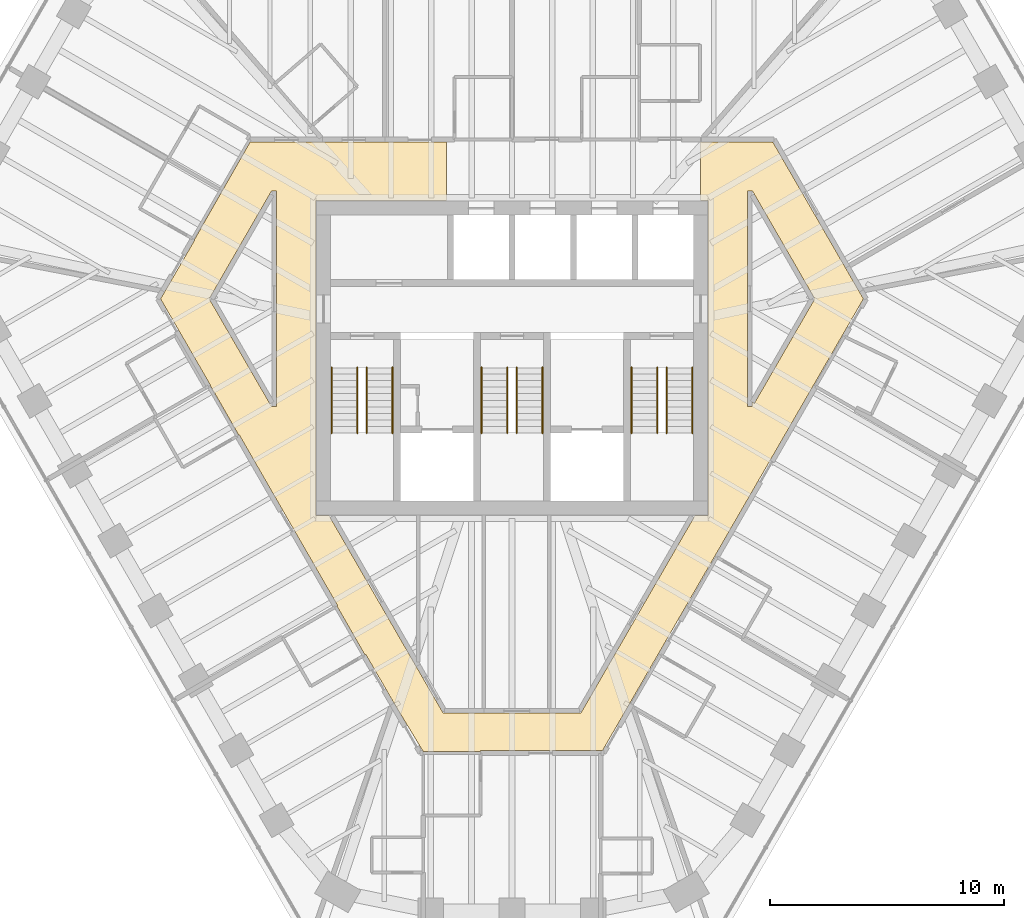
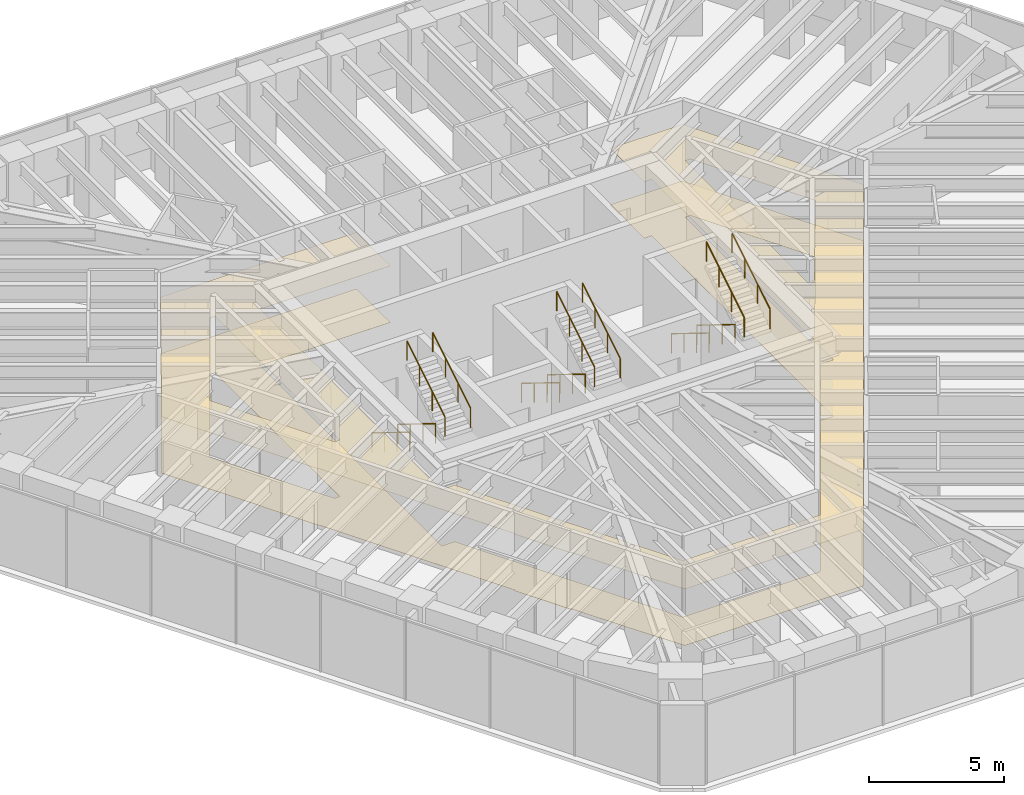
# One storey, part 14 of 14: 12 railings, 2 coverings.
"""IFC4 building model written with IfcOpenShell, lengths in metres."""

from ifc_helpers import new_model, si_unit, direction, frame, origin, origin_2d, place, context, subcontext, project, spatial, polyline, circle, outline, extrude, material, layer, layer_set, type_object, element, save


model = new_model("IFC4")

# Units and contexts
model_context = context("Model", 3, precision=1e-05, world=origin(), true_north=direction((0.0, 1.0)))
body_context = subcontext(model_context, "Body", "Model", "MODEL_VIEW")
ifc_project = project(units=[si_unit("LENGTHUNIT", "METRE"), si_unit("AREAUNIT", "SQUARE_METRE"), si_unit("VOLUMEUNIT", "CUBIC_METRE"), si_unit("PLANEANGLEUNIT", "RADIAN"), si_unit("MASSUNIT", "GRAM", prefix="KILO")], contexts=[model_context])

# Site, building, storey
site_placement = place(None, origin())
site = spatial("IfcSite", under=ifc_project, at=site_placement, CompositionType="ELEMENT")
building_placement = place(site_placement, origin())
building = spatial("IfcBuilding", under=site, at=building_placement, Name="Sandreach Pilgrim Tower", CompositionType="ELEMENT")
storey_placement = place(building_placement, frame((0.0, 0.0, 291.199951171875)))
storey = spatial("IfcBuildingStorey", under=building, at=storey_placement, Name="L73", CompositionType="ELEMENT", Elevation=291.199951171875)

# Coverings
ifc_material_1 = material(Name="Nylon carpet tile on the slab", Category="textile")
ifc_layer_1 = layer(ifc_material_1, 0.008056640625)
ifc_layer_set_1 = layer_set([ifc_layer_1], Name="Carpet tile")
covering_type_1 = type_object("IfcCoveringType", Name="Carpet tile", PredefinedType="FLOORING", material=ifc_layer_set_1)
covering_1_placement = place(storey_placement, origin())
element("IfcCovering", 1, at=covering_1_placement, inside=storey, type_object=covering_type_1, Name="Floor finish 73C Corridor 73", PredefinedType="FLOORING", context=body_context, shape_type="SweptSolid", body=[
    extrude(outline(polyline([(-15.004150390625, 2.529541015625), (-13.54345703125, 5.0498046875), (-13.559814453125, 5.059326171875), (-11.178466796875, 9.22998046875), (-2.800048828125, 9.22998046875), (-2.800048828125, 6.719970703125), (-8.3701171875, 6.719970703125), (-8.3701171875, -6.719970703125), (-7.812744140625, -6.719970703125), (-2.937744140625, -15.159912109375), (2.937744140625, -15.159912109375), (7.812744140625, -6.719970703125), (8.3701171875, -6.719970703125), (8.3701171875, 6.719970703125), (8.050048828125, 6.719970703125), (8.050048828125, 9.22998046875), (11.13232421875, 9.22998046875), (15.004150390625, 2.529541015625), (3.8623046875, -16.760009765625), (-1.340087890625, -16.760009765625), (-1.340087890625, -16.787109375), (-3.7900390625, -16.800048828125), (-3.7900390625, -16.760009765625), (-3.814208984375, -16.760009765625), (-5.036376953125, -14.731201171875), (-6.24365234375, -12.649658203125), (-6.278076171875, -12.669921875), (-7.4736328125, -10.58740234375), (-7.443359375, -10.570068359375), (-11.643310546875, -3.280029296875), (-11.66259765625, -3.291015625), (-12.8828125, -1.16552734375), (-12.87353515625, -1.159912109375), (-15.004150390625, 2.529541015625)]), holes=[polyline([(10.25, -2.070068359375), (10.25, -1.873779296875), (10.3466796875, -1.9296875), (12.925537109375, 2.530029296875), (10.265380859375, 7.139892578125), (10.050048828125, 7.139892578125), (10.050048828125, -2.070068359375), (10.25, -2.070068359375)]), polyline([(-12.925537109375, 2.530029296875), (-10.265625, -2.070068359375), (-10.050048828125, -2.070068359375), (-10.050048828125, 7.139892578125), (-10.265380859375, 7.139892578125), (-12.925537109375, 2.530029296875)])]), origin(), (0.0, 0.0, 1.0), 0.008056640625),
])
ifc_material_2 = material(Name="Gypsum board suspended ceiling on a steel grid", Category="steel")
ifc_layer_2 = layer(ifc_material_2, 0.012939453125)
ifc_layer_set_2 = layer_set([ifc_layer_2], Name="Gypsum board suspended ceiling")
covering_type_2 = type_object("IfcCoveringType", Name="Gypsum board suspended ceiling", PredefinedType="CEILING", material=ifc_layer_set_2)
covering_2_placement = place(storey_placement, frame((0.0, 0.0, 2.550048828125)))
element("IfcCovering", 2, at=covering_2_placement, inside=storey, type_object=covering_type_2, Name="Ceiling 73C Corridor 73", PredefinedType="CEILING", context=body_context, shape_type="SweptSolid", body=[
    extrude(outline(polyline([(-15.004150390625, 2.529541015625), (-13.54345703125, 5.0498046875), (-13.559814453125, 5.059326171875), (-11.178466796875, 9.22998046875), (-2.800048828125, 9.22998046875), (-2.800048828125, 6.719970703125), (-8.3701171875, 6.719970703125), (-8.3701171875, -6.719970703125), (-7.812744140625, -6.719970703125), (-2.937744140625, -15.159912109375), (2.937744140625, -15.159912109375), (7.812744140625, -6.719970703125), (8.3701171875, -6.719970703125), (8.3701171875, 6.719970703125), (8.050048828125, 6.719970703125), (8.050048828125, 9.22998046875), (11.13232421875, 9.22998046875), (15.004150390625, 2.529541015625), (3.8623046875, -16.760009765625), (-1.340087890625, -16.760009765625), (-1.340087890625, -16.787109375), (-3.7900390625, -16.800048828125), (-3.7900390625, -16.760009765625), (-3.814208984375, -16.760009765625), (-5.036376953125, -14.731201171875), (-6.24365234375, -12.649658203125), (-6.278076171875, -12.669921875), (-7.4736328125, -10.58740234375), (-7.443359375, -10.570068359375), (-11.643310546875, -3.280029296875), (-11.66259765625, -3.291015625), (-12.8828125, -1.16552734375), (-12.87353515625, -1.159912109375), (-15.004150390625, 2.529541015625)]), holes=[polyline([(10.25, -2.070068359375), (10.25, -1.873779296875), (10.3466796875, -1.9296875), (12.925537109375, 2.530029296875), (10.265380859375, 7.139892578125), (10.050048828125, 7.139892578125), (10.050048828125, -2.070068359375), (10.25, -2.070068359375)]), polyline([(-12.925537109375, 2.530029296875), (-10.265625, -2.070068359375), (-10.050048828125, -2.070068359375), (-10.050048828125, 7.139892578125), (-10.265380859375, 7.139892578125), (-12.925537109375, 2.530029296875)])]), origin(), (0.0, 0.0, 1.0), 0.012939453125),
])

# Railings
ifc_material_3 = material(Name="Stainless steel tube", Category="steel")
railing_type = type_object("IfcRailingType", Name="Stair handrail", PredefinedType="HANDRAIL", material=ifc_material_3)
for number, where, name in (
    (3, (-6.60009765625, -0.39990234375, 0.1728515625), "Handrail ST1 L73 flight 1"),
    (4, (-7.699951171875, -0.39990234375, 0.1728515625), "Handrail ST1 L73 flight 1"),
):
    element("IfcRailing", number, at=place(storey_placement, frame(where)), inside=storey, type_object=railing_type, Name=name, PredefinedType="HANDRAIL", context=body_context, shape_type="SweptSolid", body=[
        extrude(circle(Radius=0.02392578125, at=origin_2d()), frame((0.0, 0.0, 0.8759765625), z_axis=(0.0, -0.851089632645, 0.525020415988), x_axis=(1.0, 0.0, 0.0)), (0.0, 0.0, 1.0), 3.2900390625),
        extrude(circle(Radius=0.02099609375, at=origin_2d()), origin(), (0.0, 0.0, 1.0), 0.851806640625),
        extrude(circle(Radius=0.02099609375, at=origin_2d()), frame((0.0, -0.933349609375, 0.57568359375)), (0.0, 0.0, 1.0), 0.851806640625),
        extrude(circle(Radius=0.02099609375, at=origin_2d()), frame((0.0, -1.86669921875, 1.151611328125)), (0.0, 0.0, 1.0), 0.851806640625),
        extrude(circle(Radius=0.02099609375, at=origin_2d()), frame((0.0, -2.800048828125, 1.727294921875)), (0.0, 0.0, 1.0), 0.851806640625),
    ])
for number, where, name in (
    (5, (-6.199951171875, -3.199951171875, 2.07275390625), "Handrail ST1 L73 flight 2"),
    (6, (-5.10009765625, -3.199951171875, 2.07275390625), "Handrail ST1 L73 flight 2"),
):
    element("IfcRailing", number, at=place(storey_placement, frame(where)), inside=storey, type_object=railing_type, Name=name, PredefinedType="HANDRAIL", context=body_context, shape_type="SweptSolid", body=[
        extrude(circle(Radius=0.02392578125, at=origin_2d()), frame((0.0, 0.0, 0.8759765625), z_axis=(0.0, 0.851089632645, 0.525020415988), x_axis=(-1.0, 0.0, 0.0)), (0.0, 0.0, 1.0), 3.2900390625),
        extrude(circle(Radius=0.02099609375, at=origin_2d()), origin(), (0.0, 0.0, 1.0), 0.851806640625),
        extrude(circle(Radius=0.02099609375, at=origin_2d()), frame((0.0, 0.933349609375, 0.57568359375)), (0.0, 0.0, 1.0), 0.851806640625),
        extrude(circle(Radius=0.02099609375, at=origin_2d()), frame((0.0, 1.86669921875, 1.151611328125)), (0.0, 0.0, 1.0), 0.851806640625),
        extrude(circle(Radius=0.02099609375, at=origin_2d()), frame((0.0, 2.800048828125, 1.727294921875)), (0.0, 0.0, 1.0), 0.851806640625),
    ])
for number, where, name in (
    (7, (-0.199951171875, -0.39990234375, 0.1728515625), "Handrail ST3 L73 flight 1"),
    (8, (-1.300048828125, -0.39990234375, 0.1728515625), "Handrail ST3 L73 flight 1"),
):
    element("IfcRailing", number, at=place(storey_placement, frame(where)), inside=storey, type_object=railing_type, Name=name, PredefinedType="HANDRAIL", context=body_context, shape_type="SweptSolid", body=[
        extrude(circle(Radius=0.02392578125, at=origin_2d()), frame((0.0, 0.0, 0.8759765625), z_axis=(0.0, -0.851089632645, 0.525020415988), x_axis=(1.0, 0.0, 0.0)), (0.0, 0.0, 1.0), 3.2900390625),
        extrude(circle(Radius=0.02099609375, at=origin_2d()), origin(), (0.0, 0.0, 1.0), 0.851806640625),
        extrude(circle(Radius=0.02099609375, at=origin_2d()), frame((0.0, -0.933349609375, 0.57568359375)), (0.0, 0.0, 1.0), 0.851806640625),
        extrude(circle(Radius=0.02099609375, at=origin_2d()), frame((0.0, -1.86669921875, 1.151611328125)), (0.0, 0.0, 1.0), 0.851806640625),
        extrude(circle(Radius=0.02099609375, at=origin_2d()), frame((0.0, -2.800048828125, 1.727294921875)), (0.0, 0.0, 1.0), 0.851806640625),
    ])
for number, where, name in (
    (9, (0.199951171875, -3.199951171875, 2.07275390625), "Handrail ST3 L73 flight 2"),
    (10, (1.300048828125, -3.199951171875, 2.07275390625), "Handrail ST3 L73 flight 2"),
):
    element("IfcRailing", number, at=place(storey_placement, frame(where)), inside=storey, type_object=railing_type, Name=name, PredefinedType="HANDRAIL", context=body_context, shape_type="SweptSolid", body=[
        extrude(circle(Radius=0.02392578125, at=origin_2d()), frame((0.0, 0.0, 0.8759765625), z_axis=(0.0, 0.851089632645, 0.525020415988), x_axis=(-1.0, 0.0, 0.0)), (0.0, 0.0, 1.0), 3.2900390625),
        extrude(circle(Radius=0.02099609375, at=origin_2d()), origin(), (0.0, 0.0, 1.0), 0.851806640625),
        extrude(circle(Radius=0.02099609375, at=origin_2d()), frame((0.0, 0.933349609375, 0.57568359375)), (0.0, 0.0, 1.0), 0.851806640625),
        extrude(circle(Radius=0.02099609375, at=origin_2d()), frame((0.0, 1.86669921875, 1.151611328125)), (0.0, 0.0, 1.0), 0.851806640625),
        extrude(circle(Radius=0.02099609375, at=origin_2d()), frame((0.0, 2.800048828125, 1.727294921875)), (0.0, 0.0, 1.0), 0.851806640625),
    ])
for number, where, name in (
    (11, (6.199951171875, -0.39990234375, 0.1728515625), "Handrail ST2 L73 flight 1"),
    (12, (5.10009765625, -0.39990234375, 0.1728515625), "Handrail ST2 L73 flight 1"),
):
    element("IfcRailing", number, at=place(storey_placement, frame(where)), inside=storey, type_object=railing_type, Name=name, PredefinedType="HANDRAIL", context=body_context, shape_type="SweptSolid", body=[
        extrude(circle(Radius=0.02392578125, at=origin_2d()), frame((0.0, 0.0, 0.8759765625), z_axis=(0.0, -0.851089632645, 0.525020415988), x_axis=(1.0, 0.0, 0.0)), (0.0, 0.0, 1.0), 3.2900390625),
        extrude(circle(Radius=0.02099609375, at=origin_2d()), origin(), (0.0, 0.0, 1.0), 0.851806640625),
        extrude(circle(Radius=0.02099609375, at=origin_2d()), frame((0.0, -0.933349609375, 0.57568359375)), (0.0, 0.0, 1.0), 0.851806640625),
        extrude(circle(Radius=0.02099609375, at=origin_2d()), frame((0.0, -1.86669921875, 1.151611328125)), (0.0, 0.0, 1.0), 0.851806640625),
        extrude(circle(Radius=0.02099609375, at=origin_2d()), frame((0.0, -2.800048828125, 1.727294921875)), (0.0, 0.0, 1.0), 0.851806640625),
    ])
for number, where, name in (
    (13, (6.60009765625, -3.199951171875, 2.07275390625), "Handrail ST2 L73 flight 2"),
    (14, (7.699951171875, -3.199951171875, 2.07275390625), "Handrail ST2 L73 flight 2"),
):
    element("IfcRailing", number, at=place(storey_placement, frame(where)), inside=storey, type_object=railing_type, Name=name, PredefinedType="HANDRAIL", context=body_context, shape_type="SweptSolid", body=[
        extrude(circle(Radius=0.02392578125, at=origin_2d()), frame((0.0, 0.0, 0.8759765625), z_axis=(0.0, 0.851089632645, 0.525020415988), x_axis=(-1.0, 0.0, 0.0)), (0.0, 0.0, 1.0), 3.2900390625),
        extrude(circle(Radius=0.02099609375, at=origin_2d()), origin(), (0.0, 0.0, 1.0), 0.851806640625),
        extrude(circle(Radius=0.02099609375, at=origin_2d()), frame((0.0, 0.933349609375, 0.57568359375)), (0.0, 0.0, 1.0), 0.851806640625),
        extrude(circle(Radius=0.02099609375, at=origin_2d()), frame((0.0, 1.86669921875, 1.151611328125)), (0.0, 0.0, 1.0), 0.851806640625),
        extrude(circle(Radius=0.02099609375, at=origin_2d()), frame((0.0, 2.800048828125, 1.727294921875)), (0.0, 0.0, 1.0), 0.851806640625),
    ])

save(model, "model.ifc")
